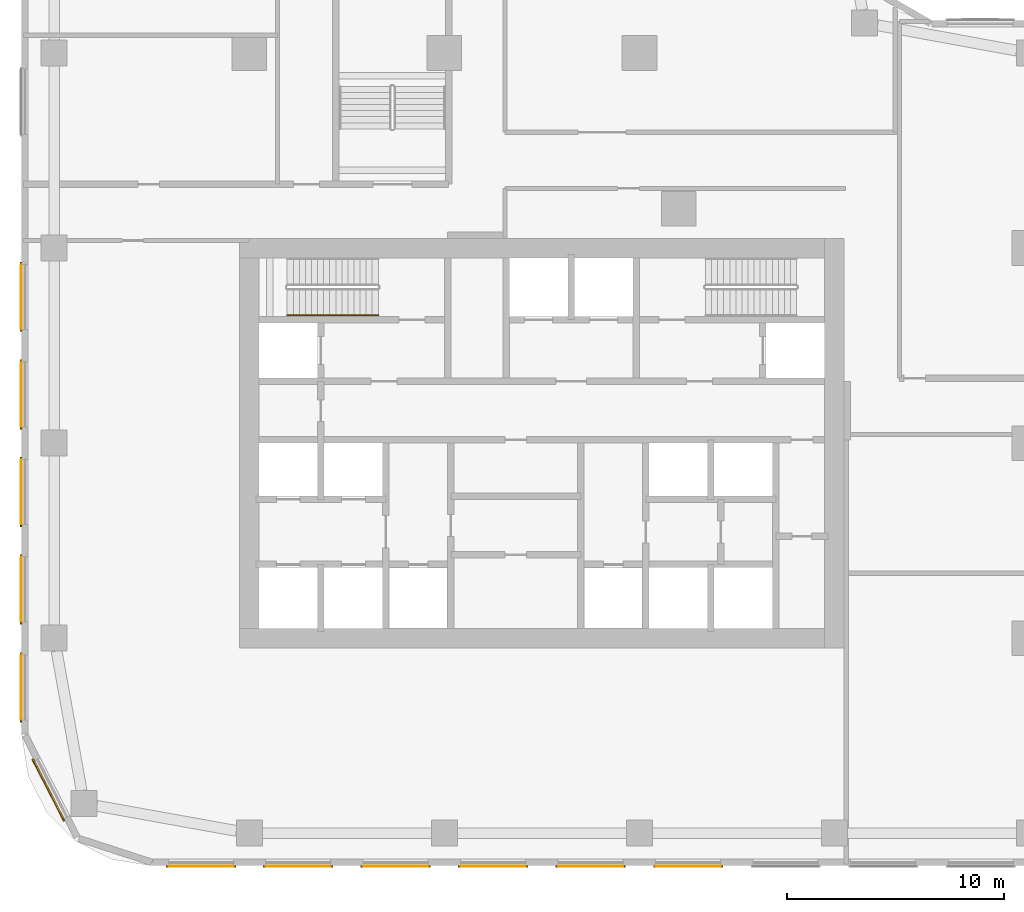
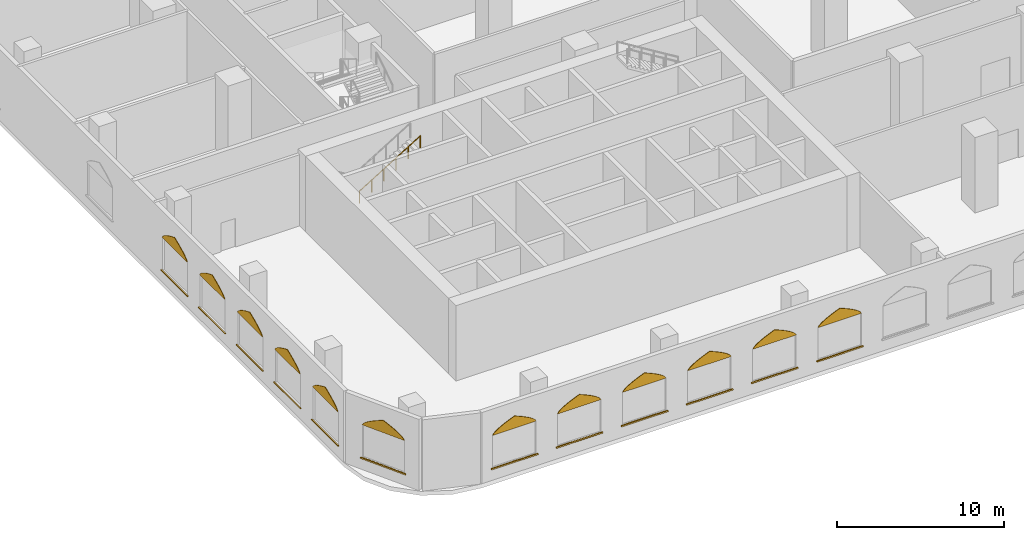
# One storey, part 19 of 31: 24 coverings, 1 railing.
"""IFC4 building model written with IfcOpenShell, lengths in metres."""

from ifc_helpers import new_model, si_unit, direction, frame, origin, origin_2d, place, context, subcontext, project, spatial, polyline, rectangle, circle, outline, extrude, material, layer, layer_set, type_object, element, save


model = new_model("IFC4")

# Units and contexts
model_context = context("Model", 3, precision=1e-05, world=origin(), true_north=direction((0.0, 1.0)))
body_context = subcontext(model_context, "Body", "Model", "MODEL_VIEW")
ifc_project = project(units=[si_unit("LENGTHUNIT", "METRE"), si_unit("AREAUNIT", "SQUARE_METRE"), si_unit("VOLUMEUNIT", "CUBIC_METRE"), si_unit("PLANEANGLEUNIT", "RADIAN"), si_unit("MASSUNIT", "GRAM", prefix="KILO")], contexts=[model_context])

# Site, building, storey
site_placement = place(None, origin())
site = spatial("IfcSite", under=ifc_project, at=site_placement, CompositionType="ELEMENT")
building_placement = place(site_placement, origin())
building = spatial("IfcBuilding", under=site, at=building_placement, Name="Ogive Portal Towers", CompositionType="ELEMENT")
storey_placement = place(building_placement, frame((0.0, 0.0, 8.0)))
storey = spatial("IfcBuildingStorey", under=building, at=storey_placement, Name="L01", CompositionType="ELEMENT", Elevation=8.0)

# Railing
ifc_material_1 = material(Name="Stainless steel handrail", Category="steel")
railing_type = type_object("IfcRailingType", Name="INT-HANDRAIL", PredefinedType="HANDRAIL", material=ifc_material_1)
railing_placement = place(storey_placement, frame((33.25, 36.39990234375, 2.921875)))
element("IfcRailing", 1, at=railing_placement, inside=storey, type_object=railing_type, Name="L01 ST-A1 stair handrail 2", PredefinedType="HANDRAIL", context=body_context, shape_type="SweptSolid", body=[
    extrude(circle(Radius=0.02392578125, at=origin_2d()), frame((0.0, 0.0, 0.8759765625), z_axis=(0.852242915053, 0.0, 0.523146264196), x_axis=(0.0, 1.0, 0.0)), (0.0, 0.0, 1.0), 4.92822265625),
    extrude(circle(Radius=0.02099609375, at=origin_2d()), origin(), (0.0, 0.0, 1.0), 0.851806640625),
    extrude(circle(Radius=0.02099609375, at=origin_2d()), frame((0.840087890625, 0.0, 0.515625)), (0.0, 0.0, 1.0), 0.851806640625),
    extrude(circle(Radius=0.02099609375, at=origin_2d()), frame((1.679931640625, 0.0, 1.03125)), (0.0, 0.0, 1.0), 0.851806640625),
    extrude(circle(Radius=0.02099609375, at=origin_2d()), frame((2.52001953125, 0.0, 1.546875)), (0.0, 0.0, 1.0), 0.851806640625),
    extrude(circle(Radius=0.02099609375, at=origin_2d()), frame((3.35986328125, 0.0, 2.0625)), (0.0, 0.0, 1.0), 0.851806640625),
    extrude(circle(Radius=0.02099609375, at=origin_2d()), frame((4.199951171875, 0.0, 2.578125)), (0.0, 0.0, 1.0), 0.851806640625),
])

# Coverings
ifc_material_2 = material(Name="Limestone cladding on lightweight block wall", Category="masonry")
ifc_layer_1 = layer(ifc_material_2, 0.0400390625)
ifc_layer_set_1 = layer_set([ifc_layer_1], Name="LANCET HEAD STONE")
covering_type_1 = type_object("IfcCoveringType", Name="LANCET HEAD STONE", PredefinedType="CLADDING", material=ifc_layer_set_1)
covering_1_placement = place(storey_placement, frame((21.58837890625, 15.84521484375, 3.300048828125), z_axis=(0.890951213184, 0.453986518369, 0.010108257236), x_axis=(0.454009716366, -0.890996732567, -3.06364e-07)))
element("IfcCovering", 2, at=covering_1_placement, inside=storey, type_object=covering_type_1, Name="Lancet head", PredefinedType="CLADDING", context=body_context, shape_type="SweptSolid", body=[
    extrude(outline(polyline([(0.0, 0.0), (2.999890731384289, 0.0), (2.9337135819672038, -0.1125567277471324), (2.812400611987339, -0.22486506751868154), (2.6556000370748487, -0.3374203120598849), (2.469538433092914, -0.4499743995598753), (2.2588005222545657, -0.5625287879186986), (2.0255699014167377, -0.6750836458422428), (1.7721410097270687, -0.7873928150844063), (1.499929860246848, -0.8999490760785828), (1.2276287171759217, -0.7873937893609075), (0.9742165180292072, -0.6750829864833984), (0.741113432099835, -0.5625274171833613), (0.5303922139540335, -0.44997357711867286), (0.34434730266464575, -0.33741943619515136), (0.18734589194553927, -0.22486533182457222), (0.06626714300779069, -0.11255481996471935), (0.0, 0.0)])), origin(), (0.0, 0.0, -1.0), 0.0400390625),
])
covering_2_placement = place(storey_placement, frame((27.773681640625, 11.0, 3.300048828125), z_axis=(0.0, 0.99995005646, 0.009994227635), x_axis=(1.0, 0.0, 0.0)))
element("IfcCovering", 3, at=covering_2_placement, inside=storey, type_object=covering_type_1, Name="Lancet head", PredefinedType="CLADDING", context=body_context, shape_type="SweptSolid", body=[
    extrude(outline(polyline([(0.0, 0.0), (3.0, 0.0), (2.933837890625, -0.11255540702298532), (2.8125, -0.22486424561723664), (2.655517578125, -0.33741965264022195), (2.4697265625, -0.44997261966622615), (2.259033203125, -0.5625280266892115), (2.02587890625, -0.6750834337121968), (1.7724609375, -0.7873922723064481), (1.5, -0.8999476793294334), (1.227783203125, -0.7873922723064481), (0.974365234375, -0.6750834337121968), (0.7412109375, -0.5625280266892115), (0.530517578125, -0.44997261966622615), (0.344482421875, -0.33741965264022195), (0.1875, -0.22486424561723664), (0.06640625, -0.11255540702298532), (0.0, 0.0)])), origin(), (0.0, 0.0, -1.0), 0.0400390625),
])
for number, where, z_axis, x_axis, name in (
    (4, (32.25, 11.0, 3.300048828125), (0.0, 0.999950056531, 0.009994220538), (1.0, 0.0, 0.0), "Lancet head"),
    (5, (36.75, 11.0, 3.300048828125), (0.0, 0.999950056531, 0.009994220538), (1.0, 0.0, 0.0), "Lancet head"),
    (6, (41.25, 11.0, 3.300048828125), (0.0, 0.999950056531, 0.009994220538), (1.0, 0.0, 0.0), "Lancet head"),
    (7, (45.75, 11.0, 3.300048828125), (0.0, 0.999950056531, 0.009994220538), (1.0, 0.0, 0.0), "Lancet head"),
    (8, (50.25, 11.0, 3.300048828125), (0.0, 0.999950056531, 0.009994220538), (1.0, 0.0, 0.0), "Lancet head"),
    (9, (21.0, 38.75, 3.300048828125), (0.999950056531, 0.0, 0.009994220538), (0.0, -1.0, 0.0), "Lancet head"),
    (10, (21.0, 34.25, 3.300048828125), (0.999950056531, 0.0, 0.009994220538), (0.0, -1.0, 0.0), "Lancet head"),
    (11, (21.0, 29.75, 3.300048828125), (0.999950056531, 0.0, 0.009994220538), (0.0, -1.0, 0.0), "Lancet head"),
    (12, (21.0, 25.25, 3.300048828125), (0.999950056531, 0.0, 0.009994220538), (0.0, -1.0, 0.0), "Lancet head"),
):
    element("IfcCovering", number, at=place(storey_placement, frame(where, z_axis=z_axis, x_axis=x_axis)), inside=storey, type_object=covering_type_1, Name=name, PredefinedType="CLADDING", context=body_context, shape_type="SweptSolid", body=[
        extrude(outline(polyline([(0.0, 0.0), (3.0, 0.0), (2.93359375, -0.11255540702230543), (2.8125, -0.22486424561759202), (2.655517578125, -0.3374196526398974), (2.4697265625, -0.4499726196669543), (2.2587890625, -0.5625280266892596), (2.025634765625, -0.6750834337115651), (1.772216796875, -0.7873922723068517), (1.5, -0.8999476793291572), (1.227783203125, -0.7873922723068517), (0.974365234375, -0.6750834337115651), (0.7412109375, -0.5625280266892596), (0.5302734375, -0.4499726196669543), (0.344482421875, -0.3374196526398974), (0.1875, -0.22486424561759202), (0.06640625, -0.11255540702230543), (0.0, 0.0)])), origin(), (0.0, 0.0, -1.0), 0.0400390625),
    ])
covering_3_placement = place(storey_placement, frame((21.0, 20.726318359375, 3.300048828125), z_axis=(0.99995005646, 0.0, 0.009994227635), x_axis=(0.0, -1.0, 0.0)))
element("IfcCovering", 13, at=covering_3_placement, inside=storey, type_object=covering_type_1, Name="Lancet head", PredefinedType="CLADDING", context=body_context, shape_type="SweptSolid", body=[
    extrude(outline(polyline([(0.0, 0.0), (3.0, 0.0), (2.933837890625, -0.11255540702298532), (2.8125, -0.22486424561723664), (2.655517578125, -0.33741965264022195), (2.4697265625, -0.44997261966622615), (2.259033203125, -0.5625280266892115), (2.02587890625, -0.6750834337121968), (1.7724609375, -0.7873922723064481), (1.5, -0.8999476793294334), (1.227783203125, -0.7873922723064481), (0.974365234375, -0.6750834337121968), (0.7412109375, -0.5625280266892115), (0.530517578125, -0.44997261966622615), (0.344482421875, -0.33741965264022195), (0.1875, -0.22486424561723664), (0.06640625, -0.11255540702298532), (0.0, 0.0)])), origin(), (0.0, 0.0, -1.0), 0.0400390625),
])
ifc_layer_2 = layer(ifc_material_2, 0.080078125)
ifc_layer_set_2 = layer_set([ifc_layer_2], Name="STONE SILL 80")
covering_type_2 = type_object("IfcCoveringType", Name="STONE SILL 80", PredefinedType="CLADDING", material=ifc_layer_set_2)
for number, where, z_axis, x_axis, name in (
    (14, (22.233642578125, 14.49072265625, 0.840087890625), (0.0, 0.0, 1.0), (0.45399049974, -0.891006524188, 0.0), "Stone sill"),
    (15, (29.273681640625, 10.9599609375, 0.840087890625), (0.0, 0.0, 1.0), (1.0, 0.0, 0.0), "Stone sill"),
    (16, (33.75, 10.9599609375, 0.840087890625), (0.0, 0.0, 1.0), (1.0, 0.0, 0.0), "Stone sill"),
    (17, (38.25, 10.9599609375, 0.840087890625), (0.0, 0.0, 1.0), (1.0, 0.0, 0.0), "Stone sill"),
    (18, (42.75, 10.9599609375, 0.840087890625), (0.0, 0.0, 1.0), (1.0, 0.0, 0.0), "Stone sill"),
    (19, (47.25, 10.9599609375, 0.840087890625), (0.0, 0.0, 1.0), (1.0, 0.0, 0.0), "Stone sill"),
    (20, (51.75, 10.9599609375, 0.840087890625), (0.0, 0.0, 1.0), (1.0, 0.0, 0.0), "Stone sill"),
    (21, (20.9599609375, 37.25, 0.840087890625), (0.0, 0.0, 1.0), (0.0, -1.0, 0.0), "Stone sill"),
    (22, (20.9599609375, 32.75, 0.840087890625), (0.0, 0.0, 1.0), (0.0, -1.0, 0.0), "Stone sill"),
    (23, (20.9599609375, 28.25, 0.840087890625), (0.0, 0.0, 1.0), (0.0, -1.0, 0.0), "Stone sill"),
    (24, (20.9599609375, 23.75, 0.840087890625), (0.0, 0.0, 1.0), (0.0, -1.0, 0.0), "Stone sill"),
    (25, (20.9599609375, 19.226318359375, 0.840087890625), (0.0, 0.0, 1.0), (0.0, -1.0, 0.0), "Stone sill"),
):
    element("IfcCovering", number, at=place(storey_placement, frame(where, z_axis=z_axis, x_axis=x_axis)), inside=storey, type_object=covering_type_2, Name=name, PredefinedType="CLADDING", context=body_context, shape_type="SweptSolid", body=[
        extrude(rectangle(XDim=3.199951171875, YDim=0.080078125, at=origin_2d()), origin(), (0.0, 0.0, 1.0), 0.06005859375),
    ])

save(model, "model.ifc")
